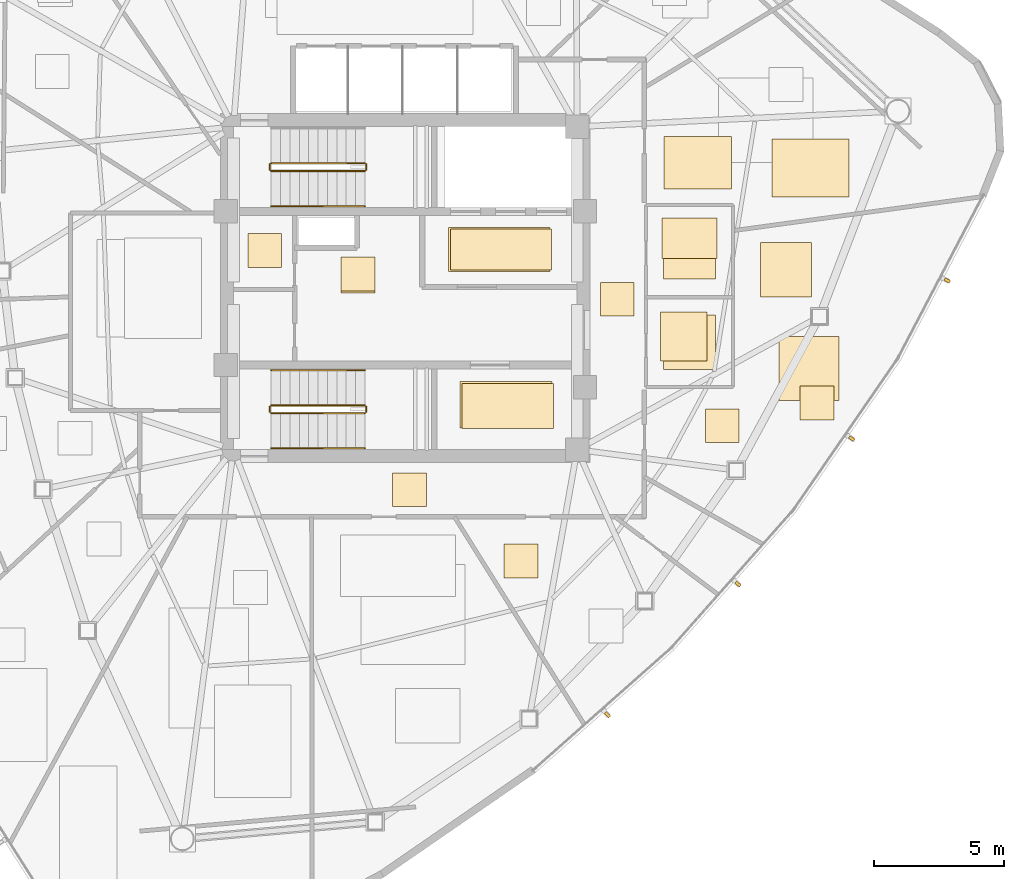
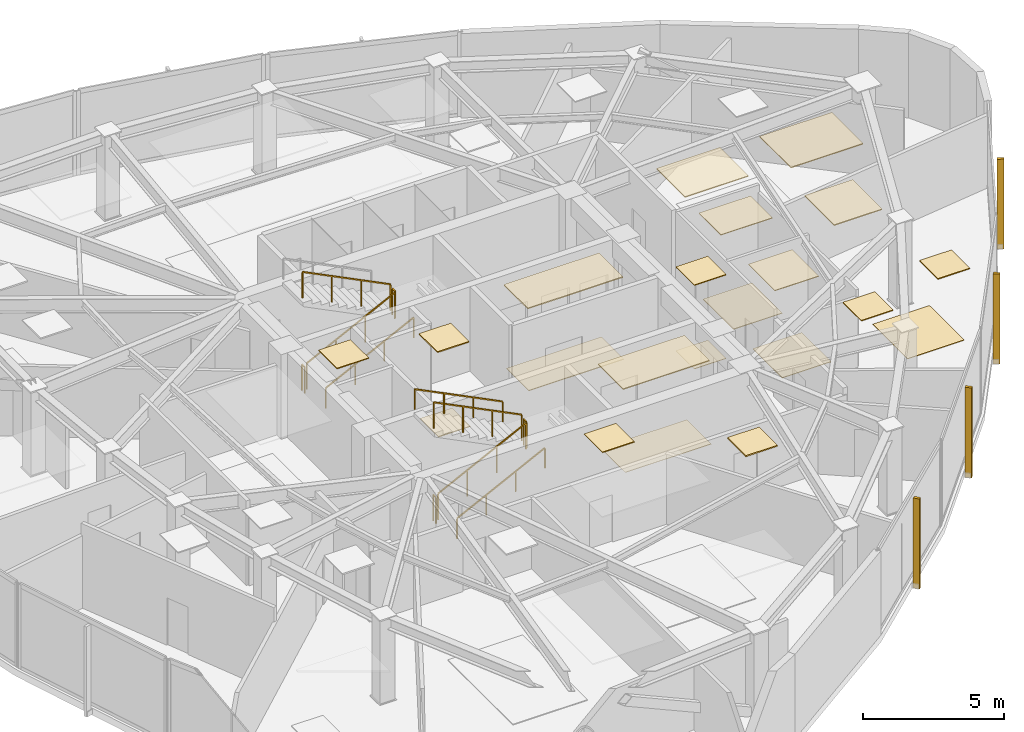
# One storey, part 14 of 15: 21 coverings, 11 railings, 4 shading devices.
"""IFC4 building model written with IfcOpenShell, lengths in metres."""

from ifc_helpers import new_model, si_unit, direction, frame, origin, origin_2d, place, context, subcontext, project, spatial, polyline, rectangle, outline, extrude, source, transform, mapped, material, layer, layer_set, type_object, type_shapes, element, save


model = new_model("IFC4")

# Units and contexts
model_context = context("Model", 3, precision=1e-05, world=origin(), true_north=direction((0.0, 1.0)))
body_context = subcontext(model_context, "Body", "Model", "MODEL_VIEW")
ifc_project = project(units=[si_unit("LENGTHUNIT", "METRE"), si_unit("AREAUNIT", "SQUARE_METRE"), si_unit("VOLUMEUNIT", "CUBIC_METRE"), si_unit("PLANEANGLEUNIT", "RADIAN"), si_unit("MASSUNIT", "GRAM", prefix="KILO")], contexts=[model_context])

# Site, building, storey
site_placement = place(None, origin())
site = spatial("IfcSite", under=ifc_project, at=site_placement, CompositionType="ELEMENT")
building_placement = place(site_placement, origin())
building = spatial("IfcBuilding", under=site, at=building_placement, Name="Tavelor Broadcast Tower", CompositionType="ELEMENT")
storey_placement = place(building_placement, frame((0.0, 0.0, 230.050048828125)))
storey = spatial("IfcBuildingStorey", under=building, at=storey_placement, Name="L54", CompositionType="ELEMENT", Elevation=230.050048828125)

# Coverings
ifc_material_1 = material(Name="Copper-Bronze Anodized Aluminium", Category="aluminium")
ifc_layer_1 = layer(ifc_material_1, 0.044921875)
ifc_layer_set_1 = layer_set([ifc_layer_1], Name="Copper-Bronze Anodized Aluminium")
covering_type_1 = type_object("IfcCoveringType", Name="Anodised Bronze Linear Slatted Concourse Ceiling 45 mm", PredefinedType="CEILING", material=ifc_layer_set_1)
covering_1_placement = place(storey_placement, frame((0.0, 0.0, 3.60498046875)))
element("IfcCovering", 1, at=covering_1_placement, inside=storey, type_object=covering_type_1, Name="L54 Suspended Acoustic Ceiling 2133", PredefinedType="CEILING", context=body_context, shape_type="SweptSolid", body=[
    extrude(outline(polyline([(51.659912109375, 45.6318359375), (55.55712890625, 45.6318359375), (55.55712890625, 47.328125), (51.659912109375, 47.328125), (51.659912109375, 45.6318359375)])), origin(), (0.0, 0.0, 1.0), 0.044921875),
])
covering_2_placement = place(storey_placement, frame((0.0, 0.0, 3.60498046875)))
element("IfcCovering", 2, at=covering_2_placement, inside=storey, type_object=covering_type_1, Name="L54 Suspended Acoustic Ceiling 2135", PredefinedType="CEILING", context=body_context, shape_type="SweptSolid", body=[
    extrude(outline(polyline([(47.5400390625, 44.89794921875), (48.840087890625, 44.89794921875), (48.840087890625, 46.197998046875), (47.5400390625, 46.197998046875), (47.5400390625, 44.89794921875)])), origin(), (0.0, 0.0, 1.0), 0.044921875),
])

# Railings
ifc_material_2 = material(Name="Steel S355", Category="steel")
railing_type_1 = type_object("IfcRailingType", Name="Continuous Brushed Stainless Handrail 900 mm", PredefinedType="HANDRAIL", material=ifc_material_2)
for number, where, name in (
    (3, (44.85009765625, 48.14990234375, 0.179443359375), "L54 ST1 stair handrail 1"),
    (4, (44.85009765625, 38.85009765625, 0.179443359375), "L54 ST2 stair handrail 1"),
):
    element("IfcRailing", number, at=place(storey_placement, frame(where)), inside=storey, type_object=railing_type_1, Name=name, PredefinedType="HANDRAIL", context=body_context, shape_type="SweptSolid", body=[
        extrude(rectangle(XDim=0.048095703125, YDim=0.048095703125, at=origin_2d()), frame((0.0, 0.0, 0.8759765625), z_axis=(0.894875846893, 0.0, 0.446315156192), x_axis=(0.0, 1.0, 0.0)), (0.0, 0.0, 1.0), 4.022705078125),
        extrude(rectangle(XDim=0.0419921875, YDim=0.0419921875, at=origin_2d()), origin(), (0.0, 0.0, 1.0), 0.851806640625),
        extrude(rectangle(XDim=0.0419921875, YDim=0.0419921875, at=origin_2d()), frame((1.199951171875, 0.0, 0.598388671875)), (0.0, 0.0, 1.0), 0.851806640625),
        extrude(rectangle(XDim=0.0419921875, YDim=0.0419921875, at=origin_2d()), frame((2.39990234375, 0.0, 1.197021484375)), (0.0, 0.0, 1.0), 0.851806640625),
        extrude(rectangle(XDim=0.0419921875, YDim=0.0419921875, at=origin_2d()), frame((3.599853515625, 0.0, 1.79541015625)), (0.0, 0.0, 1.0), 0.851806640625),
    ])
railing_1_placement = place(storey_placement, frame((48.449951171875, 41.85009765625, 2.154541015625)))
element("IfcRailing", 5, at=railing_1_placement, inside=storey, type_object=railing_type_1, Name="L54 ST2 stair handrail 2", PredefinedType="HANDRAIL", context=body_context, shape_type="SweptSolid", body=[
    extrude(rectangle(XDim=0.048095703125, YDim=0.048095703125, at=origin_2d()), frame((0.0, 0.0, 0.8759765625), z_axis=(-0.894875846893, 0.0, 0.446315156192), x_axis=(0.0, -1.0, 0.0)), (0.0, 0.0, 1.0), 4.022705078125),
    extrude(rectangle(XDim=0.0419921875, YDim=0.0419921875, at=origin_2d()), origin(), (0.0, 0.0, 1.0), 0.851806640625),
    extrude(rectangle(XDim=0.0419921875, YDim=0.0419921875, at=origin_2d()), frame((-1.199951171875, 0.0, 0.598388671875)), (0.0, 0.0, 1.0), 0.851806640625),
    extrude(rectangle(XDim=0.0419921875, YDim=0.0419921875, at=origin_2d()), frame((-2.39990234375, 0.0, 1.197021484375)), (0.0, 0.0, 1.0), 0.851806640625),
    extrude(rectangle(XDim=0.0419921875, YDim=0.0419921875, at=origin_2d()), frame((-3.599853515625, 0.0, 1.79541015625)), (0.0, 0.0, 1.0), 0.851806640625),
])

# Coverings
ifc_material_3 = material(Name="Architectural Anodized Aluminium", Category="aluminium")
ifc_layer_2 = layer(ifc_material_3, 0.034912109375)
ifc_layer_set_2 = layer_set([ifc_layer_2], Name="Architectural Anodized Aluminium")
covering_type_2 = type_object("IfcCoveringType", Name="Demountable Metal Tile Corridor Ceiling 35 mm", PredefinedType="CEILING", material=ifc_layer_set_2)
covering_3_placement = place(storey_placement, frame((0.0, 0.0, 3.614990234375)))
element("IfcCovering", 6, at=covering_3_placement, inside=storey, type_object=covering_type_2, Name="L54 Suspended Acoustic Ceiling 2137", PredefinedType="CEILING", context=body_context, shape_type="SweptSolid", body=[
    extrude(outline(polyline([(57.489990234375, 43.925048828125), (58.7900390625, 43.925048828125), (58.7900390625, 45.22509765625), (57.489990234375, 45.22509765625), (57.489990234375, 43.925048828125)])), origin(), (0.0, 0.0, 1.0), 0.034912109375),
])
covering_4_placement = place(storey_placement, frame((0.0, 0.0, 3.614990234375)))
element("IfcCovering", 7, at=covering_4_placement, inside=storey, type_object=covering_type_2, Name="L54 Suspended Acoustic Ceiling 2138", PredefinedType="CEILING", context=body_context, shape_type="SweptSolid", body=[
    extrude(outline(polyline([(49.510498046875, 36.610107421875), (50.810302734375, 36.610107421875), (50.810302734375, 37.909912109375), (49.510498046875, 37.909912109375), (49.510498046875, 36.610107421875)])), origin(), (0.0, 0.0, 1.0), 0.034912109375),
])
ifc_material_4 = material(Name="Acoustic Nylon Carpet Tile")
ifc_layer_3 = layer(ifc_material_4, 0.02001953125)
ifc_layer_set_3 = layer_set([ifc_layer_3], Name="Acoustic Nylon Carpet Tile")
covering_type_3 = type_object("IfcCoveringType", Name="Heavy-Duty Acoustic Broadcast Carpet Tile 20 mm", PredefinedType="FLOORING", material=ifc_layer_set_3)
covering_5_placement = place(storey_placement, origin())
element("IfcCovering", 8, at=covering_5_placement, inside=storey, type_object=covering_type_3, Name="L54 Broadcast Floor Finish 0787", PredefinedType="FLOORING", context=body_context, shape_type="SweptSolid", body=[
    extrude(outline(polyline([(52.176025390625, 39.611328125), (55.694091796875, 39.611328125), (55.694091796875, 41.341552734375), (52.176025390625, 41.341552734375), (52.176025390625, 39.611328125)])), origin(), (0.0, 0.0, 1.0), 0.02001953125),
])
covering_6_placement = place(storey_placement, origin())
element("IfcCovering", 9, at=covering_6_placement, inside=storey, type_object=covering_type_3, Name="L54 Broadcast Floor Finish 0789", PredefinedType="FLOORING", context=body_context, shape_type="SweptSolid", body=[
    extrude(outline(polyline([(57.489990234375, 43.925048828125), (58.7900390625, 43.925048828125), (58.7900390625, 45.22509765625), (57.489990234375, 45.22509765625), (57.489990234375, 43.925048828125)])), origin(), (0.0, 0.0, 1.0), 0.02001953125),
])
covering_7_placement = place(storey_placement, origin())
element("IfcCovering", 10, at=covering_7_placement, inside=storey, type_object=covering_type_3, Name="L54 Broadcast Floor Finish 0801", PredefinedType="FLOORING", context=body_context, shape_type="SweptSolid", body=[
    extrude(outline(polyline([(64.34228515625, 40.69140625), (66.66162109375, 40.69140625), (66.66162109375, 43.15380859375), (64.34228515625, 43.15380859375), (64.34228515625, 40.69140625)])), origin(), (0.0, 0.0, 1.0), 0.02001953125),
])
ifc_material_5 = material(Name="Honed Natural Limestone Tile", Category="masonry")
ifc_layer_4 = layer(ifc_material_5, 0.030029296875)
ifc_layer_set_4 = layer_set([ifc_layer_4], Name="Honed Natural Limestone Tile")
covering_type_4 = type_object("IfcCoveringType", Name="Honed Jerusalem Limestone Concourse Flooring 30 mm", PredefinedType="FLOORING", material=ifc_layer_set_4)
covering_8_placement = place(storey_placement, origin())
element("IfcCovering", 11, at=covering_8_placement, inside=storey, type_object=covering_type_4, Name="L54 Broadcast Floor Finish 0786", PredefinedType="FLOORING", context=body_context, shape_type="SweptSolid", body=[
    extrude(outline(polyline([(51.7373046875, 45.689453125), (55.62255859375, 45.689453125), (55.62255859375, 47.2705078125), (51.7373046875, 47.2705078125), (51.7373046875, 45.689453125)])), origin(), (0.0, 0.0, 1.0), 0.030029296875),
])
covering_9_placement = place(storey_placement, origin())
element("IfcCovering", 12, at=covering_9_placement, inside=storey, type_object=covering_type_4, Name="L54 Broadcast Floor Finish 0788", PredefinedType="FLOORING", context=body_context, shape_type="SweptSolid", body=[
    extrude(outline(polyline([(47.5400390625, 44.818115234375), (48.840087890625, 44.818115234375), (48.840087890625, 46.117919921875), (47.5400390625, 46.117919921875), (47.5400390625, 44.818115234375)])), origin(), (0.0, 0.0, 1.0), 0.030029296875),
])
ifc_material_6 = material(Name="Acoustic Perforated Timber Baffle", Category="wood")
ifc_layer_5 = layer(ifc_material_6, 0.054931640625)
ifc_layer_set_5 = layer_set([ifc_layer_5], Name="Acoustic Perforated Timber Baffle")
covering_type_5 = type_object("IfcCoveringType", Name="Micro-Perforated Acoustic Baffle Studio Ceiling 55 mm", PredefinedType="CEILING", material=ifc_layer_set_5)
covering_10_placement = place(storey_placement, frame((0.0, 0.0, 3.594970703125)))
element("IfcCovering", 13, at=covering_10_placement, inside=storey, type_object=covering_type_5, Name="L54 Suspended Acoustic Ceiling 2142", PredefinedType="CEILING", context=body_context, shape_type="SweptSolid", body=[
    extrude(outline(polyline([(53.7958984375, 33.87744140625), (55.095947265625, 33.87744140625), (55.095947265625, 35.177490234375), (53.7958984375, 35.177490234375), (53.7958984375, 33.87744140625)])), origin(), (0.0, 0.0, 1.0), 0.054931640625),
])
ifc_layer_6 = layer(ifc_material_3, 0.030029296875)
ifc_layer_set_6 = layer_set([ifc_layer_6], Name="Architectural Anodized Aluminium")
covering_type_6 = type_object("IfcCoveringType", Name="Moisture-Resistant Washroom Ceiling 30 mm", PredefinedType="CEILING", material=ifc_layer_set_6)
covering_11_placement = place(storey_placement, frame((0.0, 0.0, 3.619873046875)))
element("IfcCovering", 14, at=covering_11_placement, inside=storey, type_object=covering_type_6, Name="L54 Suspended Acoustic Ceiling 2140", PredefinedType="CEILING", context=body_context, shape_type="SweptSolid", body=[
    extrude(outline(polyline([(59.79150390625, 42.2001953125), (61.589599609375, 42.2001953125), (61.589599609375, 44.08203125), (59.79150390625, 44.08203125), (59.79150390625, 42.2001953125)])), origin(), (0.0, 0.0, 1.0), 0.030029296875),
])
covering_12_placement = place(storey_placement, frame((0.0, 0.0, 3.619873046875)))
element("IfcCovering", 15, at=covering_12_placement, inside=storey, type_object=covering_type_6, Name="L54 Suspended Acoustic Ceiling 2141", PredefinedType="CEILING", context=body_context, shape_type="SweptSolid", body=[
    extrude(outline(polyline([(59.85302734375, 46.13623046875), (61.967041015625, 46.13623046875), (61.967041015625, 47.69482421875), (59.85302734375, 47.69482421875), (59.85302734375, 46.13623046875)])), origin(), (0.0, 0.0, 1.0), 0.030029296875),
])
ifc_material_7 = material(Name="Slip-Resistant Porcelain Tile")
ifc_layer_7 = layer(ifc_material_7, 0.02490234375)
ifc_layer_set_7 = layer_set([ifc_layer_7], Name="Slip-Resistant Porcelain Tile")
covering_type_7 = type_object("IfcCoveringType", Name="Slip-Resistant Porcelain Wet-Area Floor Tile 25 mm", PredefinedType="FLOORING", material=ifc_layer_set_7)
covering_13_placement = place(storey_placement, origin())
element("IfcCovering", 16, at=covering_13_placement, inside=storey, type_object=covering_type_7, Name="L54 Broadcast Floor Finish 0791", PredefinedType="FLOORING", context=body_context, shape_type="SweptSolid", body=[
    extrude(outline(polyline([(59.91064453125, 41.885986328125), (61.909423828125, 41.885986328125), (61.909423828125, 43.964111328125), (59.91064453125, 43.964111328125), (59.91064453125, 41.885986328125)])), origin(), (0.0, 0.0, 1.0), 0.02490234375),
])
covering_14_placement = place(storey_placement, origin())
element("IfcCovering", 17, at=covering_14_placement, inside=storey, type_object=covering_type_7, Name="L54 Broadcast Floor Finish 0792", PredefinedType="FLOORING", context=body_context, shape_type="SweptSolid", body=[
    extrude(outline(polyline([(59.91064453125, 45.35009765625), (61.909423828125, 45.35009765625), (61.909423828125, 47.5), (59.91064453125, 47.5), (59.91064453125, 45.35009765625)])), origin(), (0.0, 0.0, 1.0), 0.02490234375),
])

# Railings
railing_type_2 = type_object("IfcRailingType", Name="Stairwell Steel Safety Guardrail 1150 mm", PredefinedType="GUARDRAIL", material=ifc_material_2)
railing_2_placement = place(storey_placement, frame((44.85009765625, 49.5, 0.179443359375)))
element("IfcRailing", 18, at=railing_2_placement, inside=storey, type_object=railing_type_2, Name="L54 ST1 stair guard 1", PredefinedType="GUARDRAIL", context=body_context, shape_type="SweptSolid", body=[
    extrude(rectangle(XDim=0.048095703125, YDim=0.048095703125, at=origin_2d()), frame((0.0, 0.0, 1.1259765625), z_axis=(0.894875846893, 0.0, 0.446315156192), x_axis=(0.0, 1.0, 0.0)), (0.0, 0.0, 1.0), 4.022705078125),
    extrude(rectangle(XDim=0.0419921875, YDim=0.0419921875, at=origin_2d()), origin(), (0.0, 0.0, 1.0), 1.101806640625),
    extrude(rectangle(XDim=0.0419921875, YDim=0.0419921875, at=origin_2d()), frame((1.199951171875, 0.0, 0.598388671875)), (0.0, 0.0, 1.0), 1.101806640625),
    extrude(rectangle(XDim=0.0419921875, YDim=0.0419921875, at=origin_2d()), frame((2.39990234375, 0.0, 1.197021484375)), (0.0, 0.0, 1.0), 1.101806640625),
    extrude(rectangle(XDim=0.0419921875, YDim=0.0419921875, at=origin_2d()), frame((3.599853515625, 0.0, 1.79541015625)), (0.0, 0.0, 1.0), 1.101806640625),
])
railing_3_placement = place(storey_placement, frame((48.5, 49.550048828125, 1.974853515625)))
element("IfcRailing", 19, at=railing_3_placement, inside=storey, type_object=railing_type_2, Name="L54 ST1 stair guard 2", PredefinedType="GUARDRAIL", context=body_context, shape_type="SweptSolid", body=[
    extrude(rectangle(XDim=0.048095703125, YDim=0.048095703125, at=origin_2d()), frame((0.0, 0.0, 1.1259765625), z_axis=(0.0, 1.0, 0.0), x_axis=(-1.0, 0.0, 0.0)), (0.0, 0.0, 1.0), 0.199951171875),
    extrude(rectangle(XDim=0.0419921875, YDim=0.0419921875, at=origin_2d()), origin(), (0.0, 0.0, 1.0), 1.101806640625),
    extrude(rectangle(XDim=0.0419921875, YDim=0.0419921875, at=origin_2d()), frame((0.0, 0.199951171875, 0.0)), (0.0, 0.0, 1.0), 1.101806640625),
])
railing_4_placement = place(storey_placement, frame((48.449951171875, 49.800048828125, 2.154541015625)))
element("IfcRailing", 20, at=railing_4_placement, inside=storey, type_object=railing_type_2, Name="L54 ST1 stair guard 3", PredefinedType="GUARDRAIL", context=body_context, shape_type="SweptSolid", body=[
    extrude(rectangle(XDim=0.048095703125, YDim=0.048095703125, at=origin_2d()), frame((0.0, 0.0, 1.1259765625), z_axis=(-0.894875846893, 0.0, 0.446315156192), x_axis=(0.0, -1.0, 0.0)), (0.0, 0.0, 1.0), 4.022705078125),
    extrude(rectangle(XDim=0.0419921875, YDim=0.0419921875, at=origin_2d()), origin(), (0.0, 0.0, 1.0), 1.101806640625),
    extrude(rectangle(XDim=0.0419921875, YDim=0.0419921875, at=origin_2d()), frame((-1.199951171875, 0.0, 0.598388671875)), (0.0, 0.0, 1.0), 1.101806640625),
    extrude(rectangle(XDim=0.0419921875, YDim=0.0419921875, at=origin_2d()), frame((-2.39990234375, 0.0, 1.197021484375)), (0.0, 0.0, 1.0), 1.101806640625),
    extrude(rectangle(XDim=0.0419921875, YDim=0.0419921875, at=origin_2d()), frame((-3.599853515625, 0.0, 1.79541015625)), (0.0, 0.0, 1.0), 1.101806640625),
])
railing_5_placement = place(storey_placement, frame((44.800048828125, 49.550048828125, 0.0)))
element("IfcRailing", 21, at=railing_5_placement, inside=storey, type_object=railing_type_2, Name="L54 ST1 stair guard 4", PredefinedType="GUARDRAIL", context=body_context, shape_type="SweptSolid", body=[
    extrude(rectangle(XDim=0.048095703125, YDim=0.048095703125, at=origin_2d()), frame((0.0, 0.0, 1.1259765625), z_axis=(0.0, 1.0, 0.0), x_axis=(-1.0, 0.0, 0.0)), (0.0, 0.0, 1.0), 0.199951171875),
    extrude(rectangle(XDim=0.0419921875, YDim=0.0419921875, at=origin_2d()), origin(), (0.0, 0.0, 1.0), 1.101806640625),
    extrude(rectangle(XDim=0.0419921875, YDim=0.0419921875, at=origin_2d()), frame((0.0, 0.199951171875, 0.0)), (0.0, 0.0, 1.0), 1.101806640625),
])
railing_6_placement = place(storey_placement, frame((44.85009765625, 40.199951171875, 0.179443359375)))
element("IfcRailing", 22, at=railing_6_placement, inside=storey, type_object=railing_type_2, Name="L54 ST2 stair guard 1", PredefinedType="GUARDRAIL", context=body_context, shape_type="SweptSolid", body=[
    extrude(rectangle(XDim=0.048095703125, YDim=0.048095703125, at=origin_2d()), frame((0.0, 0.0, 1.1259765625), z_axis=(0.894875846893, 0.0, 0.446315156192), x_axis=(0.0, 1.0, 0.0)), (0.0, 0.0, 1.0), 4.022705078125),
    extrude(rectangle(XDim=0.0419921875, YDim=0.0419921875, at=origin_2d()), origin(), (0.0, 0.0, 1.0), 1.101806640625),
    extrude(rectangle(XDim=0.0419921875, YDim=0.0419921875, at=origin_2d()), frame((1.199951171875, 0.0, 0.598388671875)), (0.0, 0.0, 1.0), 1.101806640625),
    extrude(rectangle(XDim=0.0419921875, YDim=0.0419921875, at=origin_2d()), frame((2.39990234375, 0.0, 1.197021484375)), (0.0, 0.0, 1.0), 1.101806640625),
    extrude(rectangle(XDim=0.0419921875, YDim=0.0419921875, at=origin_2d()), frame((3.599853515625, 0.0, 1.79541015625)), (0.0, 0.0, 1.0), 1.101806640625),
])
railing_7_placement = place(storey_placement, frame((48.5, 40.25, 1.974853515625)))
element("IfcRailing", 23, at=railing_7_placement, inside=storey, type_object=railing_type_2, Name="L54 ST2 stair guard 2", PredefinedType="GUARDRAIL", context=body_context, shape_type="SweptSolid", body=[
    extrude(rectangle(XDim=0.048095703125, YDim=0.048095703125, at=origin_2d()), frame((0.0, 0.0, 1.1259765625), z_axis=(0.0, 1.0, 0.0), x_axis=(-1.0, 0.0, 0.0)), (0.0, 0.0, 1.0), 0.199951171875),
    extrude(rectangle(XDim=0.0419921875, YDim=0.0419921875, at=origin_2d()), origin(), (0.0, 0.0, 1.0), 1.101806640625),
    extrude(rectangle(XDim=0.0419921875, YDim=0.0419921875, at=origin_2d()), frame((0.0, 0.199951171875, 0.0)), (0.0, 0.0, 1.0), 1.101806640625),
])
railing_8_placement = place(storey_placement, frame((48.449951171875, 40.5, 2.154541015625)))
element("IfcRailing", 24, at=railing_8_placement, inside=storey, type_object=railing_type_2, Name="L54 ST2 stair guard 3", PredefinedType="GUARDRAIL", context=body_context, shape_type="SweptSolid", body=[
    extrude(rectangle(XDim=0.048095703125, YDim=0.048095703125, at=origin_2d()), frame((0.0, 0.0, 1.1259765625), z_axis=(-0.894875846893, 0.0, 0.446315156192), x_axis=(0.0, -1.0, 0.0)), (0.0, 0.0, 1.0), 4.022705078125),
    extrude(rectangle(XDim=0.0419921875, YDim=0.0419921875, at=origin_2d()), origin(), (0.0, 0.0, 1.0), 1.101806640625),
    extrude(rectangle(XDim=0.0419921875, YDim=0.0419921875, at=origin_2d()), frame((-1.199951171875, 0.0, 0.598388671875)), (0.0, 0.0, 1.0), 1.101806640625),
    extrude(rectangle(XDim=0.0419921875, YDim=0.0419921875, at=origin_2d()), frame((-2.39990234375, 0.0, 1.197021484375)), (0.0, 0.0, 1.0), 1.101806640625),
    extrude(rectangle(XDim=0.0419921875, YDim=0.0419921875, at=origin_2d()), frame((-3.599853515625, 0.0, 1.79541015625)), (0.0, 0.0, 1.0), 1.101806640625),
])
railing_9_placement = place(storey_placement, frame((44.800048828125, 40.25, 0.0)))
element("IfcRailing", 25, at=railing_9_placement, inside=storey, type_object=railing_type_2, Name="L54 ST2 stair guard 4", PredefinedType="GUARDRAIL", context=body_context, shape_type="SweptSolid", body=[
    extrude(rectangle(XDim=0.048095703125, YDim=0.048095703125, at=origin_2d()), frame((0.0, 0.0, 1.1259765625), z_axis=(0.0, 1.0, 0.0), x_axis=(-1.0, 0.0, 0.0)), (0.0, 0.0, 1.0), 0.199951171875),
    extrude(rectangle(XDim=0.0419921875, YDim=0.0419921875, at=origin_2d()), origin(), (0.0, 0.0, 1.0), 1.101806640625),
    extrude(rectangle(XDim=0.0419921875, YDim=0.0419921875, at=origin_2d()), frame((0.0, 0.199951171875, 0.0)), (0.0, 0.0, 1.0), 1.101806640625),
])

# Coverings
ifc_material_8 = material(Name="Acoustic Mineral Fibre Tile")
ifc_layer_8 = layer(ifc_material_8, 0.0400390625)
ifc_layer_set_8 = layer_set([ifc_layer_8], Name="Acoustic Mineral Fibre Tile")
covering_type_8 = type_object("IfcCoveringType", Name="Suspended Acoustic Mineral-Fibre Office Ceiling 40 mm", PredefinedType="CEILING", material=ifc_layer_set_8)
covering_15_placement = place(storey_placement, frame((0.0, 0.0, 3.60986328125)))
element("IfcCovering", 26, at=covering_15_placement, inside=storey, type_object=covering_type_8, Name="L54 Suspended Acoustic Ceiling 2134", PredefinedType="CEILING", context=body_context, shape_type="SweptSolid", body=[
    extrude(outline(polyline([(52.098388671875, 39.62255859375), (55.628662109375, 39.62255859375), (55.628662109375, 41.410400390625), (52.098388671875, 41.410400390625), (52.098388671875, 39.62255859375)])), origin(), (0.0, 0.0, 1.0), 0.0400390625),
])
covering_16_placement = place(storey_placement, frame((0.0, 0.0, 3.60986328125)))
element("IfcCovering", 27, at=covering_16_placement, inside=storey, type_object=covering_type_8, Name="L54 Suspended Acoustic Ceiling 2136", PredefinedType="CEILING", context=body_context, shape_type="SweptSolid", body=[
    extrude(outline(polyline([(43.951416015625, 45.794921875), (45.25146484375, 45.794921875), (45.25146484375, 47.094970703125), (43.951416015625, 47.094970703125), (43.951416015625, 45.794921875)])), origin(), (0.0, 0.0, 1.0), 0.0400390625),
])
covering_17_placement = place(storey_placement, frame((0.0, 0.0, 3.60986328125)))
element("IfcCovering", 28, at=covering_17_placement, inside=storey, type_object=covering_type_8, Name="L54 Suspended Acoustic Ceiling 2161", PredefinedType="CEILING", context=body_context, shape_type="SweptSolid", body=[
    extrude(outline(polyline([(64.084716796875, 48.504150390625), (67.043701171875, 48.504150390625), (67.043701171875, 50.724609375), (64.084716796875, 50.724609375), (64.084716796875, 48.504150390625)])), origin(), (0.0, 0.0, 1.0), 0.0400390625),
])
covering_18_placement = place(storey_placement, frame((0.0, 0.0, 3.60986328125)))
element("IfcCovering", 29, at=covering_18_placement, inside=storey, type_object=covering_type_8, Name="L54 Suspended Acoustic Ceiling 2162", PredefinedType="CEILING", context=body_context, shape_type="SweptSolid", body=[
    extrude(outline(polyline([(59.93115234375, 48.80712890625), (62.5234375, 48.80712890625), (62.5234375, 50.831787109375), (59.93115234375, 50.831787109375), (59.93115234375, 48.80712890625)])), origin(), (0.0, 0.0, 1.0), 0.0400390625),
])
covering_19_placement = place(storey_placement, frame((0.0, 0.0, 3.60986328125)))
element("IfcCovering", 30, at=covering_19_placement, inside=storey, type_object=covering_type_8, Name="L54 Suspended Acoustic Ceiling 2163", PredefinedType="CEILING", context=body_context, shape_type="SweptSolid", body=[
    extrude(outline(polyline([(61.518798828125, 39.069580078125), (62.81884765625, 39.069580078125), (62.81884765625, 40.369384765625), (61.518798828125, 40.369384765625), (61.518798828125, 39.069580078125)])), origin(), (0.0, 0.0, 1.0), 0.0400390625),
])
covering_20_placement = place(storey_placement, frame((0.0, 0.0, 3.60986328125)))
element("IfcCovering", 31, at=covering_20_placement, inside=storey, type_object=covering_type_8, Name="L54 Suspended Acoustic Ceiling 2164", PredefinedType="CEILING", context=body_context, shape_type="SweptSolid", body=[
    extrude(outline(polyline([(63.638427734375, 44.660888671875), (65.60205078125, 44.660888671875), (65.60205078125, 46.759521484375), (63.638427734375, 46.759521484375), (63.638427734375, 44.660888671875)])), origin(), (0.0, 0.0, 1.0), 0.0400390625),
])
covering_21_placement = place(storey_placement, frame((0.0, 0.0, 3.60986328125)))
element("IfcCovering", 32, at=covering_21_placement, inside=storey, type_object=covering_type_8, Name="L54 Suspended Acoustic Ceiling 2165", PredefinedType="CEILING", context=body_context, shape_type="SweptSolid", body=[
    extrude(outline(polyline([(65.16015625, 39.94580078125), (66.460205078125, 39.94580078125), (66.460205078125, 41.24560546875), (65.16015625, 41.24560546875), (65.16015625, 39.94580078125)])), origin(), (0.0, 0.0, 1.0), 0.0400390625),
])

# Shading devices
ifc_material_9 = material(Name="Kiln-Fired Glazed Terracotta", Category="masonry")
shading_device_type = type_object("IfcShadingDeviceType", Name="Extruded Terracotta Baguette Sun-Screen 110x240", PredefinedType="JALOUSIE", material=ifc_material_9)
shared_shape = source(origin(), body_context, "Body", "SweptSolid", [
    extrude(rectangle(XDim=0.110107421875, YDim=0.239990234375, at=origin_2d()), origin(), (0.0, 0.0, 1.0), 3.889892578125),
])
type_shapes(shading_device_type, [shared_shape])
for number, where, z_axis, x_axis, name in (
    (33, (57.7607421875, 28.624755859375, -0.259765625), (0.0, 0.0, 1.0), (0.748608671094, 0.663012109666, 0.0), "L54 Terracotta Baguette Fin 557"),
    (34, (62.775146484375, 33.63916015625, -0.259765625), (0.0, 0.0, 1.0), (0.663012109666, 0.748608671094, 0.0), "L54 Terracotta Baguette Fin 558"),
    (35, (67.14599609375, 39.223388671875, -0.259765625), (0.0, 0.0, 1.0), (0.567412674039, 0.823433577977, 0.0), "L54 Terracotta Baguette Fin 559"),
    (36, (70.80859375, 45.295654296875, -0.259765625), (0.0, 0.0, 1.0), (0.463605350294, 0.886041804419, 0.0), "L54 Terracotta Baguette Fin 560"),
):
    element("IfcShadingDevice", number, at=place(storey_placement, frame(where, z_axis=z_axis, x_axis=x_axis)), inside=storey, type_object=shading_device_type, Name=name, PredefinedType="JALOUSIE", context=body_context, shape_type="MappedRepresentation", body=[
        mapped(shared_shape, transform((0.0, 0.0, 0.0), scale=1.0)),
    ])

save(model, "model.ifc")
